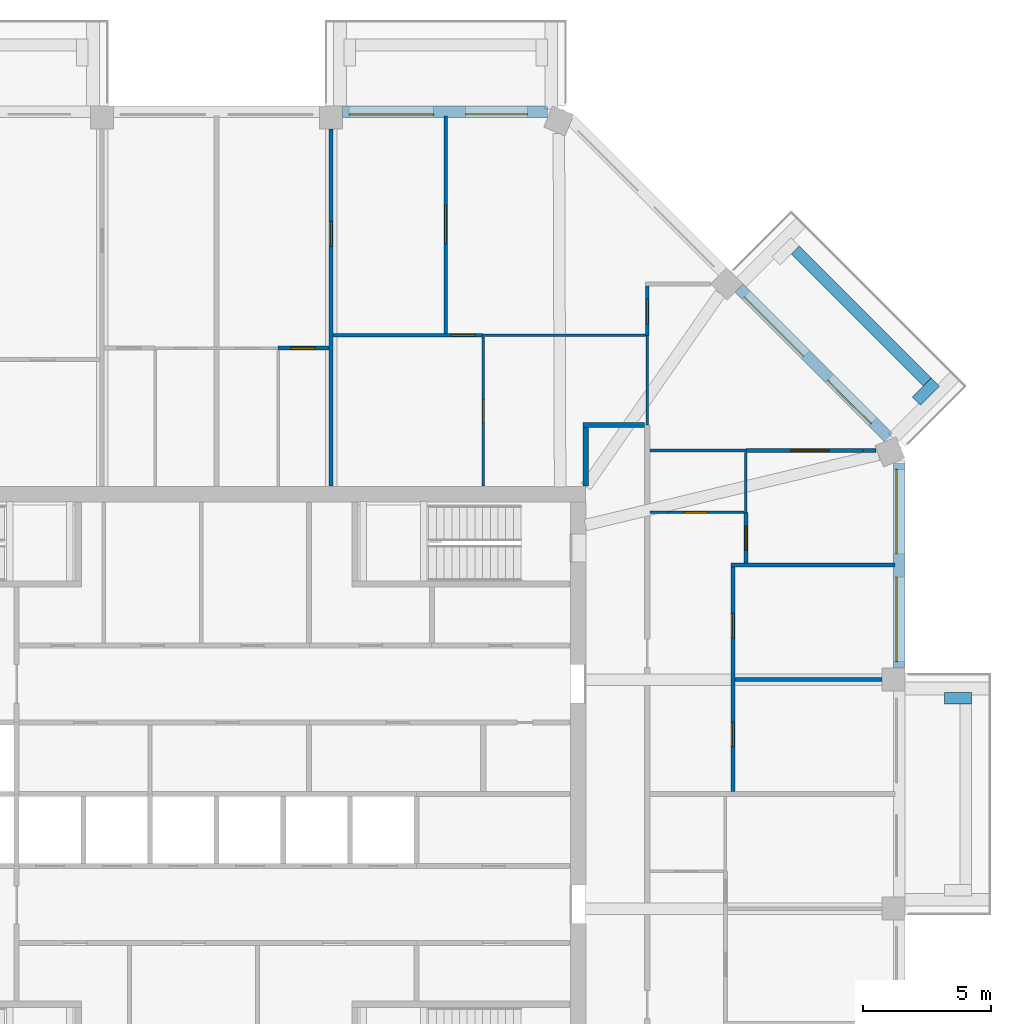
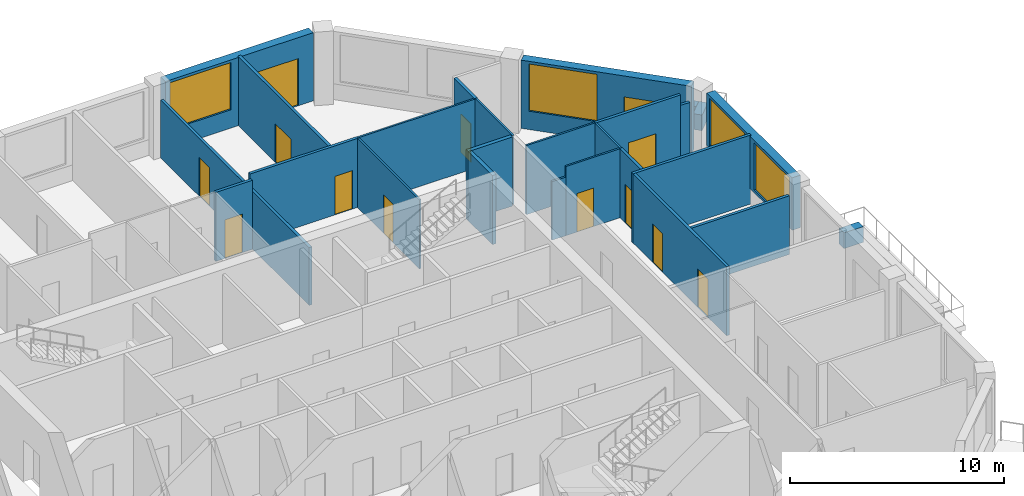
# One storey, part 9 of 12: 26 walls, 13 doors, 4 windows, 17 openings.
"""IFC4 building model written with IfcOpenShell, lengths in metres."""

from ifc_helpers import new_model, si_unit, direction, frame, frame_2d, origin, place, context, subcontext, project, spatial, rectangle, extrude, material, layer, layer_set, type_object, element, fill, save


model = new_model("IFC4")

# Units and contexts
model_context = context("Model", 3, precision=1e-05, world=origin(), true_north=direction((0.0, 1.0)))
body_context = subcontext(model_context, "Body", "Model", "MODEL_VIEW")
ifc_project = project(units=[si_unit("LENGTHUNIT", "METRE"), si_unit("AREAUNIT", "SQUARE_METRE"), si_unit("VOLUMEUNIT", "CUBIC_METRE"), si_unit("PLANEANGLEUNIT", "RADIAN"), si_unit("MASSUNIT", "GRAM", prefix="KILO")], contexts=[model_context])

# Site, building, storey
site_placement = place(None, origin())
site = spatial("IfcSite", under=ifc_project, at=site_placement, CompositionType="ELEMENT")
building_placement = place(site_placement, origin())
building = spatial("IfcBuilding", under=site, at=building_placement, Name="Msitu Wima Residences", CompositionType="ELEMENT")
storey_placement = place(building_placement, frame((0.0, 0.0, 247.5)))
storey = spatial("IfcBuildingStorey", under=building, at=storey_placement, Name="L57", CompositionType="ELEMENT", Elevation=247.5)

# Walls
ifc_material_1 = material(Name="Facing brick")
ifc_layer_1 = layer(ifc_material_1, 0.06494140625, Name="Facing brick")
ifc_material_2 = material(Name="Concrete C40/50", Category="concrete")
ifc_layer_2 = layer(ifc_material_2, 0.156005859375, Name="Concrete C40/50")
ifc_material_3 = material(Name="Waterproofing membrane")
ifc_layer_3 = layer(ifc_material_3, 0.00390625, Name="Waterproofing membrane")
ifc_material_4 = material(Name="Planting soil and planting")
ifc_layer_4 = layer(ifc_material_4, 0.22509765625, Name="Planting soil and planting")
ifc_layer_set_1 = layer_set([ifc_layer_1, ifc_layer_2, ifc_layer_3, ifc_layer_4], Name="Concrete C40/50")
wall_type_1 = type_object("IfcWallType", Name="Balcony planter PLANTER PL450", PredefinedType="USERDEFINED", material=ifc_layer_set_1)
wall_1_placement = place(storey_placement, frame((28.39990234375, 3.74365234375, 0.0), z_axis=(0.0, 0.0, 1.0), x_axis=(1.0, 0.0, 0.0)))
element("IfcWall", 1, at=wall_1_placement, inside=storey, type_object=wall_type_1, Name="Balcony planter E1 L57", ObjectType="PLANTER", PredefinedType="USERDEFINED", context=body_context, shape_type="SweptSolid", body=[
    extrude(rectangle(XDim=1.050048828125, YDim=0.449951171875, at=frame_2d((0.52490234375, 0.0))), origin(), (0.0, 0.0, 1.0), 0.89990234375),
])
wall_2_placement = place(storey_placement, frame((27.725830078125, 16.0751953125, 0.0), z_axis=(0.0, 0.0, 1.0), x_axis=(-0.707106781187, 0.707106781187, 0.0)))
element("IfcWall", 2, at=wall_2_placement, inside=storey, type_object=wall_type_1, Name="Balcony planter NE0 L57", ObjectType="PLANTER", PredefinedType="USERDEFINED", context=body_context, shape_type="SweptSolid", body=[
    extrude(rectangle(XDim=7.288330078125, YDim=0.449951171875, at=frame_2d((3.64404296875, 0.0))), origin(), (0.0, 0.0, 1.0), 0.89990234375),
])
wall_3_placement = place(storey_placement, frame((27.301513671875, 15.332763671875, 0.0), z_axis=(0.0, 0.0, 1.0), x_axis=(0.707106781187, 0.707106781187, 0.0)))
element("IfcWall", 3, at=wall_3_placement, inside=storey, type_object=wall_type_1, Name="Balcony planter NE0 L57", ObjectType="PLANTER", PredefinedType="USERDEFINED", context=body_context, shape_type="SweptSolid", body=[
    extrude(rectangle(XDim=1.050048828125, YDim=0.449951171875, at=frame_2d((0.52490234375, 0.0))), origin(), (0.0, 0.0, 1.0), 0.89990234375),
])

# Wall, openings, windows
ifc_material_5 = material(Name="Brick (red buff mix)", Category="masonry")
ifc_layer_5 = layer(ifc_material_5, 0.449951171875)
ifc_layer_set_2 = layer_set([ifc_layer_5], Name="Brick (red buff mix)")
wall_type_2 = type_object("IfcWallType", Name="Brick infill wall BW450", PredefinedType="SOLIDWALL", material=ifc_layer_set_2)
wall_4_placement = place(storey_placement, frame((26.625, 4.918701171875, 0.89990234375), z_axis=(0.0, 0.0, 1.0), x_axis=(0.0, 1.0, 0.0)))
wall_4 = element("IfcWall", 4, at=wall_4_placement, inside=storey, type_object=wall_type_2, Name="Brick infill wall L57 E2", PredefinedType="SOLIDWALL", context=body_context, shape_type="SweptSolid", body=[
    extrude(rectangle(XDim=8.0, YDim=0.449951171875, at=frame_2d((4.0, 0.0))), origin(), (0.0, 0.0, 1.0), 3.0),
])
opening_1_placement = place(wall_4_placement, frame((0.25, 0.0, 0.14990234375)))
opening_1 = element("IfcOpeningElement", 5, at=opening_1_placement, cuts=wall_4, Name="Opening W57-59.004", PredefinedType="OPENING", context=body_context, shape_type="SweptSolid", body=[
    extrude(rectangle(XDim=3.300048828125, YDim=2.699951171875, at=frame_2d((1.64990234375, 1.35009765625))), frame((0.0, 0.23486328125, 0.0), z_axis=(0.0, -1.0, 0.0), x_axis=(1.0, 0.0, 0.0)), (0.0, 0.0, 1.0), 0.469970703125),
])
opening_2_placement = place(wall_4_placement, frame((4.4501953125, 0.0, 0.14990234375)))
opening_2 = element("IfcOpeningElement", 6, at=opening_2_placement, cuts=wall_4, Name="Opening W57-59.005", PredefinedType="OPENING", context=body_context, shape_type="SweptSolid", body=[
    extrude(rectangle(XDim=3.300048828125, YDim=2.699951171875, at=frame_2d((1.64990234375, 1.35009765625))), frame((0.0, 0.23486328125, 0.0), z_axis=(0.0, -1.0, 0.0), x_axis=(1.0, 0.0, 0.0)), (0.0, 0.0, 1.0), 0.469970703125),
])
ifc_material_6 = material(Name="Anodised aluminium, bronze finish, clear low-emissivity double glazing", Category="aluminium")
window_type = type_object("IfcWindowType", Name="Window W3300x2700", PartitioningType="DOUBLE_PANEL_VERTICAL", PredefinedType="WINDOW", material=ifc_material_6)
window_1_placement = place(opening_1_placement, origin())
window_1 = element("IfcWindow", 7, at=window_1_placement, inside=storey, type_object=window_type, Name="Window L57 E2.1", OverallHeight=2.699951171875, OverallWidth=3.300048828125, PartitioningType="SINGLE_PANEL", PredefinedType="WINDOW", context=body_context, shape_type="SweptSolid", body=[
    extrude(rectangle(XDim=3.300048828125, YDim=2.699951171875, at=frame_2d((1.64990234375, 1.35009765625))), frame((0.0, 0.135009765625, 0.0), z_axis=(0.0, -1.0, 0.0), x_axis=(1.0, 0.0, 0.0)), (0.0, 0.0, 1.0), 0.06005859375),
])
fill(opening_1, window_1)
window_2_placement = place(opening_2_placement, origin())
window_2 = element("IfcWindow", 8, at=window_2_placement, inside=storey, type_object=window_type, Name="Window L57 E2.2", OverallHeight=2.699951171875, OverallWidth=3.300048828125, PartitioningType="SINGLE_PANEL", PredefinedType="WINDOW", context=body_context, shape_type="SweptSolid", body=[
    extrude(rectangle(XDim=3.300048828125, YDim=2.699951171875, at=frame_2d((1.64990234375, 1.35009765625))), frame((0.0, 0.135009765625, 0.0), z_axis=(0.0, -1.0, 0.0), x_axis=(1.0, 0.0, 0.0)), (0.0, 0.0, 1.0), 0.06005859375),
])
fill(opening_2, window_2)

# Wall, openings, door, window
wall_5_placement = place(storey_placement, frame((26.214599609375, 13.909423828125, 0.0), z_axis=(0.0, 0.0, 1.0), x_axis=(-0.707106781187, 0.707106781187, 0.0)))
wall_5 = element("IfcWall", 9, at=wall_5_placement, inside=storey, type_object=wall_type_2, Name="Brick infill wall L57 NE0", PredefinedType="SOLIDWALL", context=body_context, shape_type="SweptSolid", body=[
    extrude(rectangle(XDim=8.251220703125, YDim=0.449951171875, at=frame_2d((4.12548828125, 0.0))), origin(), (0.0, 0.0, 1.0), 3.89990234375),
])
opening_3_placement = place(wall_5_placement, frame((0.86279296875, 0.0, 0.0)))
opening_3 = element("IfcOpeningElement", 10, at=opening_3_placement, cuts=wall_5, Name="Opening D57-59.004", PredefinedType="OPENING", context=body_context, shape_type="SweptSolid", body=[
    extrude(rectangle(XDim=2.39990234375, YDim=2.699951171875, at=frame_2d((1.199951171875, 1.35009765625))), frame((0.0, 0.23486328125, 0.0), z_axis=(0.0, -1.0, 0.0), x_axis=(1.0, 0.0, 0.0)), (0.0, 0.0, 1.0), 0.469970703125),
])
opening_4_placement = place(wall_5_placement, frame((4.57568359375, 0.0, 1.050048828125)))
opening_4 = element("IfcOpeningElement", 11, at=opening_4_placement, cuts=wall_5, Name="Opening W57-59.010", PredefinedType="OPENING", context=body_context, shape_type="SweptSolid", body=[
    extrude(rectangle(XDim=3.300048828125, YDim=2.699951171875, at=frame_2d((1.64990234375, 1.35009765625))), frame((0.0, 0.23486328125, 0.0), z_axis=(0.0, -1.0, 0.0), x_axis=(1.0, 0.0, 0.0)), (0.0, 0.0, 1.0), 0.469970703125),
])
door_type_1 = type_object("IfcDoorType", Name="Balcony door D2400x2700", OperationType="SLIDING_TO_LEFT", PredefinedType="DOOR", material=ifc_material_6)
door_1_placement = place(opening_3_placement, origin())
door_1 = element("IfcDoor", 12, at=door_1_placement, inside=storey, type_object=door_type_1, Name="Balcony door L57 NE0", OperationType="SINGLE_SWING_LEFT", OverallHeight=2.699951171875, OverallWidth=2.39990234375, PredefinedType="DOOR", context=body_context, shape_type="SweptSolid", body=[
    extrude(rectangle(XDim=2.39990234375, YDim=2.699951171875, at=frame_2d((1.199951171875, 1.35009765625))), frame((0.0, 0.1298828125, 0.0), z_axis=(0.0, -1.0, 0.0), x_axis=(1.0, 0.0, 0.0)), (0.0, 0.0, 1.0), 0.050048828125),
])
fill(opening_3, door_1)
window_3_placement = place(opening_4_placement, origin())
window_3 = element("IfcWindow", 13, at=window_3_placement, inside=storey, type_object=window_type, Name="Window L57 NE0.2", OverallHeight=2.699951171875, OverallWidth=3.300048828125, PartitioningType="SINGLE_PANEL", PredefinedType="WINDOW", context=body_context, shape_type="SweptSolid", body=[
    extrude(rectangle(XDim=3.300048828125, YDim=2.699951171875, at=frame_2d((1.64990234375, 1.35009765625))), frame((0.0, 0.135009765625, 0.0), z_axis=(0.0, -1.0, 0.0), x_axis=(1.0, 0.0, 0.0)), (0.0, 0.0, 1.0), 0.06005859375),
])
fill(opening_4, window_3)

wall_6_placement = place(storey_placement, frame((12.918701171875, 26.625, 0.0), z_axis=(0.0, 0.0, 1.0), x_axis=(-1.0, 0.0, 0.0)))
wall_6 = element("IfcWall", 14, at=wall_6_placement, inside=storey, type_object=wall_type_2, Name="Brick infill wall L57 N0", PredefinedType="SOLIDWALL", context=body_context, shape_type="SweptSolid", body=[
    extrude(rectangle(XDim=8.0, YDim=0.449951171875, at=frame_2d((4.0, 0.0))), origin(), (0.0, 0.0, 1.0), 3.89990234375),
])
opening_5_placement = place(wall_6_placement, frame((0.800048828125, 0.0, 0.0)))
opening_5 = element("IfcOpeningElement", 15, at=opening_5_placement, cuts=wall_6, Name="Opening D57-59.002", PredefinedType="OPENING", context=body_context, shape_type="SweptSolid", body=[
    extrude(rectangle(XDim=2.39990234375, YDim=2.699951171875, at=frame_2d((1.199951171875, 1.35009765625))), frame((0.0, 0.23486328125, 0.0), z_axis=(0.0, -1.0, 0.0), x_axis=(1.0, 0.0, 0.0)), (0.0, 0.0, 1.0), 0.469970703125),
])
opening_6_placement = place(wall_6_placement, frame((4.4501953125, 0.0, 1.050048828125)))
opening_6 = element("IfcOpeningElement", 16, at=opening_6_placement, cuts=wall_6, Name="Opening W57-59.006", PredefinedType="OPENING", context=body_context, shape_type="SweptSolid", body=[
    extrude(rectangle(XDim=3.300048828125, YDim=2.699951171875, at=frame_2d((1.64990234375, 1.35009765625))), frame((0.0, 0.23486328125, 0.0), z_axis=(0.0, -1.0, 0.0), x_axis=(1.0, 0.0, 0.0)), (0.0, 0.0, 1.0), 0.469970703125),
])
door_2_placement = place(opening_5_placement, origin())
door_2 = element("IfcDoor", 17, at=door_2_placement, inside=storey, type_object=door_type_1, Name="Balcony door L57 N0", OperationType="SINGLE_SWING_LEFT", OverallHeight=2.699951171875, OverallWidth=2.39990234375, PredefinedType="DOOR", context=body_context, shape_type="SweptSolid", body=[
    extrude(rectangle(XDim=2.39990234375, YDim=2.699951171875, at=frame_2d((1.199951171875, 1.35009765625))), frame((0.0, 0.1298828125, 0.0), z_axis=(0.0, -1.0, 0.0), x_axis=(1.0, 0.0, 0.0)), (0.0, 0.0, 1.0), 0.050048828125),
])
fill(opening_5, door_2)
window_4_placement = place(opening_6_placement, origin())
window_4 = element("IfcWindow", 18, at=window_4_placement, inside=storey, type_object=window_type, Name="Window L57 N0.2", OverallHeight=2.699951171875, OverallWidth=3.300048828125, PartitioningType="SINGLE_PANEL", PredefinedType="WINDOW", context=body_context, shape_type="SweptSolid", body=[
    extrude(rectangle(XDim=3.300048828125, YDim=2.699951171875, at=frame_2d((1.64990234375, 1.35009765625))), frame((0.0, 0.135009765625, 0.0), z_axis=(0.0, -1.0, 0.0), x_axis=(1.0, 0.0, 0.0)), (0.0, 0.0, 1.0), 0.06005859375),
])
fill(opening_6, window_4)

# Walls
ifc_material_7 = material(Name="Plaster")
ifc_layer_6 = layer(ifc_material_7, 0.011962890625, Name="Plaster")
ifc_material_8 = material(Name="Concrete blockwork", Category="masonry")
ifc_layer_7 = layer(ifc_material_8, 0.176025390625, Name="Concrete blockwork")
ifc_layer_8 = layer(ifc_material_7, 0.011962890625, Name="Plaster")
ifc_layer_set_3 = layer_set([ifc_layer_6, ifc_layer_7, ifc_layer_8], Name="Concrete blockwork")
wall_type_3 = type_object("IfcWallType", Name="Corridor wall FW200", PredefinedType="PARTITIONING", material=ifc_layer_set_3)
wall_7_placement = place(storey_placement, frame((14.39990234375, 12.030029296875, 0.0), z_axis=(0.0, 0.0, 1.0), x_axis=(0.0, 1.0, 0.0)))
element("IfcWall", 19, at=wall_7_placement, inside=storey, type_object=wall_type_3, Name="Corridor wall", PredefinedType="PARTITIONING", context=body_context, shape_type="SweptSolid", body=[
    extrude(rectangle(XDim=2.27001953125, YDim=0.199951171875, at=frame_2d((1.135009765625, 0.0))), origin(), (0.0, 0.0, 1.0), 3.949951171875),
])
wall_8_placement = place(storey_placement, frame((14.300048828125, 14.39990234375, 0.0), z_axis=(0.0, 0.0, 1.0), x_axis=(1.0, 0.0, 0.0)))
element("IfcWall", 20, at=wall_8_placement, inside=storey, type_object=wall_type_3, Name="Corridor wall", PredefinedType="PARTITIONING", context=body_context, shape_type="SweptSolid", body=[
    extrude(rectangle(XDim=2.39990234375, YDim=0.199951171875, at=frame_2d((1.199951171875, 0.0))), origin(), (0.0, 0.0, 1.0), 3.949951171875),
])

# Wall, opening, door
ifc_layer_9 = layer(ifc_material_7, 0.011962890625, Name="Plaster")
ifc_layer_10 = layer(ifc_material_8, 0.1259765625, Name="Concrete blockwork")
ifc_layer_11 = layer(ifc_material_7, 0.011962890625, Name="Plaster")
ifc_layer_set_4 = layer_set([ifc_layer_9, ifc_layer_10, ifc_layer_11], Name="Concrete blockwork")
wall_type_4 = type_object("IfcWallType", Name="Partition PW150", PredefinedType="PARTITIONING", material=ifc_layer_set_4)
wall_9_placement = place(storey_placement, frame((2.39990234375, 17.39990234375, 0.0), z_axis=(0.0, 0.0, 1.0), x_axis=(1.0, 0.0, 0.0)))
wall_9 = element("IfcWall", 21, at=wall_9_placement, inside=storey, type_object=wall_type_4, Name="Partition", PredefinedType="PARTITIONING", context=body_context, shape_type="SweptSolid", body=[
    extrude(rectangle(XDim=1.99365234375, YDim=0.14990234375, at=frame_2d((0.996826171875, 0.0))), origin(), (0.0, 0.0, 1.0), 3.949951171875),
])
opening_7_placement = place(wall_9_placement, frame((0.5, 0.0, 0.0)))
opening_7 = element("IfcOpeningElement", 22, at=opening_7_placement, cuts=wall_9, Name="Opening D57-59.015", PredefinedType="OPENING", context=body_context, shape_type="SweptSolid", body=[
    extrude(rectangle(XDim=0.949951171875, YDim=2.199951171875, at=frame_2d((0.47509765625, 1.10009765625))), frame((0.0, 0.0849609375, 0.0), z_axis=(0.0, -1.0, 0.0), x_axis=(1.0, 0.0, 0.0)), (0.0, 0.0, 1.0), 0.169921875),
])
ifc_material_9 = material(Name="Timber flush door", Category="wood")
door_type_2 = type_object("IfcDoorType", Name="Room door D12 950x2200", OperationType="SINGLE_SWING_LEFT", PredefinedType="DOOR", material=ifc_material_9)
door_3_placement = place(opening_7_placement, origin())
door_3 = element("IfcDoor", 23, at=door_3_placement, inside=storey, type_object=door_type_2, Name="Room door", OperationType="SINGLE_SWING_RIGHT", OverallHeight=2.199951171875, OverallWidth=0.949951171875, PredefinedType="DOOR", context=body_context, shape_type="SweptSolid", body=[
    extrude(rectangle(XDim=0.949951171875, YDim=2.199951171875, at=frame_2d((0.47509765625, 1.10009765625))), frame((0.0, 0.02490234375, 0.0), z_axis=(0.0, -1.0, 0.0), x_axis=(1.0, 0.0, 0.0)), (0.0, 0.0, 1.0), 0.050048828125),
])
fill(opening_7, door_3)

wall_10_placement = place(storey_placement, frame((4.46875, 12.030029296875, 0.0), z_axis=(0.0, 0.0, 1.0), x_axis=(0.0, 1.0, 0.0)))
wall_10 = element("IfcWall", 24, at=wall_10_placement, inside=storey, type_object=wall_type_4, Name="Partition", PredefinedType="PARTITIONING", context=body_context, shape_type="SweptSolid", body=[
    extrude(rectangle(XDim=13.919921875, YDim=0.14990234375, at=frame_2d((6.9599609375, 0.0))), origin(), (0.0, 0.0, 1.0), 3.300048828125),
])
opening_8_placement = place(wall_10_placement, frame((9.35009765625, 0.0, 0.0)))
opening_8 = element("IfcOpeningElement", 25, at=opening_8_placement, cuts=wall_10, Name="Opening D57-59.013", PredefinedType="OPENING", context=body_context, shape_type="SweptSolid", body=[
    extrude(rectangle(XDim=0.949951171875, YDim=2.199951171875, at=frame_2d((0.47509765625, 1.10009765625))), frame((0.0, 0.0849609375, 0.0), z_axis=(0.0, -1.0, 0.0), x_axis=(1.0, 0.0, 0.0)), (0.0, 0.0, 1.0), 0.169921875),
])
door_4_placement = place(opening_8_placement, origin())
door_4 = element("IfcDoor", 26, at=door_4_placement, inside=storey, type_object=door_type_2, Name="Room door", OperationType="SINGLE_SWING_RIGHT", OverallHeight=2.199951171875, OverallWidth=0.949951171875, PredefinedType="DOOR", context=body_context, shape_type="SweptSolid", body=[
    extrude(rectangle(XDim=0.949951171875, YDim=2.199951171875, at=frame_2d((0.47509765625, 1.10009765625))), frame((0.0, 0.02490234375, 0.0), z_axis=(0.0, -1.0, 0.0), x_axis=(1.0, 0.0, 0.0)), (0.0, 0.0, 1.0), 0.050048828125),
])
fill(opening_8, door_4)

wall_11_placement = place(storey_placement, frame((4.543701171875, 17.89990234375, 0.0), z_axis=(0.0, 0.0, 1.0), x_axis=(1.0, 0.0, 0.0)))
wall_11 = element("IfcWall", 27, at=wall_11_placement, inside=storey, type_object=wall_type_4, Name="Partition", PredefinedType="PARTITIONING", context=body_context, shape_type="SweptSolid", body=[
    extrude(rectangle(XDim=5.836181640625, YDim=0.14990234375, at=frame_2d((2.91796875, 0.0))), origin(), (0.0, 0.0, 1.0), 3.949951171875),
])
opening_9_placement = place(wall_11_placement, frame((4.60009765625, 0.0, 0.0)))
opening_9 = element("IfcOpeningElement", 28, at=opening_9_placement, cuts=wall_11, Name="Opening D57-59.021", PredefinedType="OPENING", context=body_context, shape_type="SweptSolid", body=[
    extrude(rectangle(XDim=0.949951171875, YDim=2.199951171875, at=frame_2d((0.47509765625, 1.10009765625))), frame((0.0, 0.0849609375, 0.0), z_axis=(0.0, -1.0, 0.0), x_axis=(1.0, 0.0, 0.0)), (0.0, 0.0, 1.0), 0.169921875),
])
door_5_placement = place(opening_9_placement, origin())
door_5 = element("IfcDoor", 29, at=door_5_placement, inside=storey, type_object=door_type_2, Name="Room door", OperationType="SINGLE_SWING_LEFT", OverallHeight=2.199951171875, OverallWidth=0.949951171875, PredefinedType="DOOR", context=body_context, shape_type="SweptSolid", body=[
    extrude(rectangle(XDim=0.949951171875, YDim=2.199951171875, at=frame_2d((0.47509765625, 1.10009765625))), frame((0.0, 0.02490234375, 0.0), z_axis=(0.0, -1.0, 0.0), x_axis=(1.0, 0.0, 0.0)), (0.0, 0.0, 1.0), 0.050048828125),
])
fill(opening_9, door_5)

wall_12_placement = place(storey_placement, frame((8.937255859375, 17.97509765625, 0.0), z_axis=(0.0, 0.0, 1.0), x_axis=(0.0, 1.0, 0.0)))
wall_12 = element("IfcWall", 30, at=wall_12_placement, inside=storey, type_object=wall_type_4, Name="Partition", PredefinedType="PARTITIONING", context=body_context, shape_type="SweptSolid", body=[
    extrude(rectangle(XDim=8.47998046875, YDim=0.14990234375, at=frame_2d((4.239990234375, 0.0))), origin(), (0.0, 0.0, 1.0), 3.949951171875),
])
opening_10_placement = place(wall_12_placement, frame((3.5, 0.0, 0.0)))
opening_10 = element("IfcOpeningElement", 31, at=opening_10_placement, cuts=wall_12, Name="Opening D57-59.023", PredefinedType="OPENING", context=body_context, shape_type="SweptSolid", body=[
    extrude(rectangle(XDim=1.5, YDim=2.199951171875, at=frame_2d((0.75, 1.10009765625))), frame((0.0, 0.0849609375, 0.0), z_axis=(0.0, -1.0, 0.0), x_axis=(1.0, 0.0, 0.0)), (0.0, 0.0, 1.0), 0.169921875),
])
ifc_material_10 = material(Name="Timber double door", Category="wood")
door_type_3 = type_object("IfcDoorType", Name="Double door D04 1500x2200", OperationType="DOUBLE_DOOR_SINGLE_SWING", PredefinedType="DOOR", material=ifc_material_10)
door_6_placement = place(opening_10_placement, origin())
door_6 = element("IfcDoor", 32, at=door_6_placement, inside=storey, type_object=door_type_3, Name="Double door", OperationType="DOUBLE_DOOR_SINGLE_SWING", OverallHeight=2.199951171875, OverallWidth=1.5, PredefinedType="DOOR", context=body_context, shape_type="SweptSolid", body=[
    extrude(rectangle(XDim=1.5, YDim=2.199951171875, at=frame_2d((0.75, 1.10009765625))), frame((0.0, 0.02490234375, 0.0), z_axis=(0.0, -1.0, 0.0), x_axis=(1.0, 0.0, 0.0)), (0.0, 0.0, 1.0), 0.050048828125),
])
fill(opening_10, door_6)

wall_13_placement = place(storey_placement, frame((16.800048828125, 17.89990234375, 0.0), z_axis=(0.0, 0.0, 1.0), x_axis=(0.0, 1.0, 0.0)))
wall_13 = element("IfcWall", 33, at=wall_13_placement, inside=storey, type_object=wall_type_4, Name="Partition", PredefinedType="PARTITIONING", context=body_context, shape_type="SweptSolid", body=[
    extrude(rectangle(XDim=1.927978515625, YDim=0.14990234375, at=frame_2d((0.9638671875, 0.0))), origin(), (0.0, 0.0, 1.0), 3.949951171875),
])
opening_11_placement = place(wall_13_placement, frame((0.449951171875, 0.0, 0.0)))
opening_11 = element("IfcOpeningElement", 34, at=opening_11_placement, cuts=wall_13, Name="Opening D57-59.020", PredefinedType="OPENING", context=body_context, shape_type="SweptSolid", body=[
    extrude(rectangle(XDim=0.949951171875, YDim=2.199951171875, at=frame_2d((0.47509765625, 1.10009765625))), frame((0.0, 0.0849609375, 0.0), z_axis=(0.0, -1.0, 0.0), x_axis=(1.0, 0.0, 0.0)), (0.0, 0.0, 1.0), 0.169921875),
])
door_7_placement = place(opening_11_placement, origin())
door_7 = element("IfcDoor", 35, at=door_7_placement, inside=storey, type_object=door_type_2, Name="Room door", OperationType="SINGLE_SWING_LEFT", OverallHeight=2.199951171875, OverallWidth=0.949951171875, PredefinedType="DOOR", context=body_context, shape_type="SweptSolid", body=[
    extrude(rectangle(XDim=0.949951171875, YDim=2.199951171875, at=frame_2d((0.47509765625, 1.10009765625))), frame((0.0, 0.02490234375, 0.0), z_axis=(0.0, -1.0, 0.0), x_axis=(1.0, 0.0, 0.0)), (0.0, 0.0, 1.0), 0.050048828125),
])
fill(opening_11, door_7)

# Wall, openings, doors
wall_14_placement = place(storey_placement, frame((20.14990234375, 0.10009765625, 0.0), z_axis=(0.0, 0.0, 1.0), x_axis=(0.0, 1.0, 0.0)))
wall_14 = element("IfcWall", 36, at=wall_14_placement, inside=storey, type_object=wall_type_4, Name="Partition", PredefinedType="PARTITIONING", context=body_context, shape_type="SweptSolid", body=[
    extrude(rectangle(XDim=8.76220703125, YDim=0.14990234375, at=frame_2d((4.381103515625, 0.0))), origin(), (0.0, 0.0, 1.0), 3.949951171875),
])
opening_12_placement = place(wall_14_placement, frame((1.75, 0.0, 0.0)))
opening_12 = element("IfcOpeningElement", 37, at=opening_12_placement, cuts=wall_14, Name="Opening D57-59.016", PredefinedType="OPENING", context=body_context, shape_type="SweptSolid", body=[
    extrude(rectangle(XDim=0.949951171875, YDim=2.199951171875, at=frame_2d((0.47509765625, 1.10009765625))), frame((0.0, 0.0849609375, 0.0), z_axis=(0.0, -1.0, 0.0), x_axis=(1.0, 0.0, 0.0)), (0.0, 0.0, 1.0), 0.169921875),
])
opening_13_placement = place(wall_14_placement, frame((6.0, 0.0, 0.0)))
opening_13 = element("IfcOpeningElement", 38, at=opening_13_placement, cuts=wall_14, Name="Opening D57-59.017", PredefinedType="OPENING", context=body_context, shape_type="SweptSolid", body=[
    extrude(rectangle(XDim=0.949951171875, YDim=2.199951171875, at=frame_2d((0.47509765625, 1.10009765625))), frame((0.0, 0.0849609375, 0.0), z_axis=(0.0, -1.0, 0.0), x_axis=(1.0, 0.0, 0.0)), (0.0, 0.0, 1.0), 0.169921875),
])
door_8_placement = place(opening_12_placement, origin())
door_8 = element("IfcDoor", 39, at=door_8_placement, inside=storey, type_object=door_type_2, Name="Room door", OperationType="SINGLE_SWING_LEFT", OverallHeight=2.199951171875, OverallWidth=0.949951171875, PredefinedType="DOOR", context=body_context, shape_type="SweptSolid", body=[
    extrude(rectangle(XDim=0.949951171875, YDim=2.199951171875, at=frame_2d((0.47509765625, 1.10009765625))), frame((0.0, 0.02490234375, 0.0), z_axis=(0.0, -1.0, 0.0), x_axis=(1.0, 0.0, 0.0)), (0.0, 0.0, 1.0), 0.050048828125),
])
fill(opening_12, door_8)
door_9_placement = place(opening_13_placement, origin())
door_9 = element("IfcDoor", 40, at=door_9_placement, inside=storey, type_object=door_type_2, Name="Room door", OperationType="SINGLE_SWING_RIGHT", OverallHeight=2.199951171875, OverallWidth=0.949951171875, PredefinedType="DOOR", context=body_context, shape_type="SweptSolid", body=[
    extrude(rectangle(XDim=0.949951171875, YDim=2.199951171875, at=frame_2d((0.47509765625, 1.10009765625))), frame((0.0, 0.02490234375, 0.0), z_axis=(0.0, -1.0, 0.0), x_axis=(1.0, 0.0, 0.0)), (0.0, 0.0, 1.0), 0.050048828125),
])
fill(opening_13, door_9)

# Walls
wall_15_placement = place(storey_placement, frame((20.22509765625, 4.46875, 0.0), z_axis=(0.0, 0.0, 1.0), x_axis=(1.0, 0.0, 0.0)))
element("IfcWall", 41, at=wall_15_placement, inside=storey, type_object=wall_type_4, Name="Partition", PredefinedType="PARTITIONING", context=body_context, shape_type="SweptSolid", body=[
    extrude(rectangle(XDim=5.724853515625, YDim=0.14990234375, at=frame_2d((2.8623046875, 0.0))), origin(), (0.0, 0.0, 1.0), 3.35009765625),
])
wall_16_placement = place(storey_placement, frame((20.074951171875, 8.937255859375, 0.0), z_axis=(0.0, 0.0, 1.0), x_axis=(1.0, 0.0, 0.0)))
element("IfcWall", 42, at=wall_16_placement, inside=storey, type_object=wall_type_4, Name="Partition", PredefinedType="PARTITIONING", context=body_context, shape_type="SweptSolid", body=[
    extrude(rectangle(XDim=6.380126953125, YDim=0.14990234375, at=frame_2d((3.18994140625, 0.0))), origin(), (0.0, 0.0, 1.0), 3.949951171875),
])

# Wall, opening, door
wall_17_placement = place(storey_placement, frame((20.64990234375, 9.01220703125, 0.0), z_axis=(0.0, 0.0, 1.0), x_axis=(0.0, 1.0, 0.0)))
wall_17 = element("IfcWall", 43, at=wall_17_placement, inside=storey, type_object=wall_type_4, Name="Partition", PredefinedType="PARTITIONING", context=body_context, shape_type="SweptSolid", body=[
    extrude(rectangle(XDim=1.9677734375, YDim=0.14990234375, at=frame_2d((0.98388671875, 0.0))), origin(), (0.0, 0.0, 1.0), 3.949951171875),
])
opening_14_placement = place(wall_17_placement, frame((0.5, 0.0, 0.0)))
opening_14 = element("IfcOpeningElement", 44, at=opening_14_placement, cuts=wall_17, Name="Opening D57-59.018", PredefinedType="OPENING", context=body_context, shape_type="SweptSolid", body=[
    extrude(rectangle(XDim=0.949951171875, YDim=2.199951171875, at=frame_2d((0.47509765625, 1.10009765625))), frame((0.0, 0.0849609375, 0.0), z_axis=(0.0, -1.0, 0.0), x_axis=(1.0, 0.0, 0.0)), (0.0, 0.0, 1.0), 0.169921875),
])
door_10_placement = place(opening_14_placement, origin())
door_10 = element("IfcDoor", 45, at=door_10_placement, inside=storey, type_object=door_type_2, Name="Room door", OperationType="SINGLE_SWING_RIGHT", OverallHeight=2.199951171875, OverallWidth=0.949951171875, PredefinedType="DOOR", context=body_context, shape_type="SweptSolid", body=[
    extrude(rectangle(XDim=0.949951171875, YDim=2.199951171875, at=frame_2d((0.47509765625, 1.10009765625))), frame((0.0, 0.02490234375, 0.0), z_axis=(0.0, -1.0, 0.0), x_axis=(1.0, 0.0, 0.0)), (0.0, 0.0, 1.0), 0.050048828125),
])
fill(opening_14, door_10)

wall_18_placement = place(storey_placement, frame((20.64990234375, 13.406005859375, 0.0), z_axis=(0.0, 0.0, 1.0), x_axis=(1.0, 0.0, 0.0)))
wall_18 = element("IfcWall", 46, at=wall_18_placement, inside=storey, type_object=wall_type_4, Name="Partition", PredefinedType="PARTITIONING", context=body_context, shape_type="SweptSolid", body=[
    extrude(rectangle(XDim=4.57421875, YDim=0.14990234375, at=frame_2d((2.287109375, 0.0))), origin(), (0.0, 0.0, 1.0), 3.949951171875),
])
opening_15_placement = place(wall_18_placement, frame((1.75, 0.0, 0.0)))
opening_15 = element("IfcOpeningElement", 47, at=opening_15_placement, cuts=wall_18, Name="Opening D57-59.019", PredefinedType="OPENING", context=body_context, shape_type="SweptSolid", body=[
    extrude(rectangle(XDim=1.5, YDim=2.199951171875, at=frame_2d((0.75, 1.10009765625))), frame((0.0, 0.0849609375, 0.0), z_axis=(0.0, -1.0, 0.0), x_axis=(1.0, 0.0, 0.0)), (0.0, 0.0, 1.0), 0.169921875),
])
door_11_placement = place(opening_15_placement, origin())
door_11 = element("IfcDoor", 48, at=door_11_placement, inside=storey, type_object=door_type_3, Name="Double door", OperationType="DOUBLE_DOOR_SINGLE_SWING", OverallHeight=2.199951171875, OverallWidth=1.5, PredefinedType="DOOR", context=body_context, shape_type="SweptSolid", body=[
    extrude(rectangle(XDim=1.5, YDim=2.199951171875, at=frame_2d((0.75, 1.10009765625))), frame((0.0, 0.02490234375, 0.0), z_axis=(0.0, -1.0, 0.0), x_axis=(1.0, 0.0, 0.0)), (0.0, 0.0, 1.0), 0.050048828125),
])
fill(opening_15, door_11)

# Walls
wall_19_placement = place(storey_placement, frame((25.22412109375, 13.406005859375, 0.0), z_axis=(0.0, 0.0, 1.0), x_axis=(1.0, 0.0, 0.0)))
element("IfcWall", 49, at=wall_19_placement, inside=storey, type_object=wall_type_4, Name="Partition", PredefinedType="PARTITIONING", context=body_context, shape_type="SweptSolid", body=[
    extrude(rectangle(XDim=0.507080078125, YDim=0.14990234375, at=frame_2d((0.25341796875, 0.0))), origin(), (0.0, 0.0, 1.0), 3.35009765625),
])
ifc_material_11 = material(Name="Ceramic tiles")
ifc_layer_12 = layer(ifc_material_11, 0.008056640625, Name="Ceramic tiles")
ifc_material_12 = material(Name="Moisture-resistant board")
ifc_layer_13 = layer(ifc_material_12, 0.012451171875, Name="Moisture-resistant board")
ifc_material_13 = material(Name="Light-gauge stud framing with mineral wool")
ifc_layer_14 = layer(ifc_material_13, 0.06689453125, Name="Light-gauge stud framing with mineral wool")
ifc_layer_15 = layer(ifc_material_12, 0.012451171875, Name="Moisture-resistant board")
ifc_layer_set_5 = layer_set([ifc_layer_12, ifc_layer_13, ifc_layer_14, ifc_layer_15], Name="Light-gauge stud framing with mineral wool")
wall_type_5 = type_object("IfcWallType", Name="Wet wall PW100", PredefinedType="PARTITIONING", material=ifc_layer_set_5)
wall_20_placement = place(storey_placement, frame((10.3798828125, 17.89990234375, 0.0), z_axis=(0.0, 0.0, 1.0), x_axis=(1.0, 0.0, 0.0)))
element("IfcWall", 50, at=wall_20_placement, inside=storey, type_object=wall_type_5, Name="Wet wall", PredefinedType="PARTITIONING", context=body_context, shape_type="SweptSolid", body=[
    extrude(rectangle(XDim=6.34521484375, YDim=0.10009765625, at=frame_2d((3.172607421875, 0.0))), origin(), (0.0, 0.0, 1.0), 3.949951171875),
])

# Wall, opening, door
wall_21_placement = place(storey_placement, frame((10.39990234375, 12.030029296875, 0.0), z_axis=(0.0, 0.0, 1.0), x_axis=(0.0, 1.0, 0.0)))
wall_21 = element("IfcWall", 51, at=wall_21_placement, inside=storey, type_object=wall_type_5, Name="Wet wall", PredefinedType="PARTITIONING", context=body_context, shape_type="SweptSolid", body=[
    extrude(rectangle(XDim=5.794921875, YDim=0.10009765625, at=frame_2d((2.8974609375, 0.0))), origin(), (0.0, 0.0, 1.0), 3.949951171875),
])
opening_16_placement = place(wall_21_placement, frame((2.449951171875, 0.0, 0.0)))
opening_16 = element("IfcOpeningElement", 52, at=opening_16_placement, cuts=wall_21, Name="Opening D57-59.022", PredefinedType="OPENING", context=body_context, shape_type="SweptSolid", body=[
    extrude(rectangle(XDim=0.89990234375, YDim=2.199951171875, at=frame_2d((0.449951171875, 1.10009765625))), frame((0.0, 0.06005859375, 0.0), z_axis=(0.0, -1.0, 0.0), x_axis=(1.0, 0.0, 0.0)), (0.0, 0.0, 1.0), 0.1201171875),
])
door_type_4 = type_object("IfcDoorType", Name="Service door D05 900x2200", OperationType="SINGLE_SWING_LEFT", PredefinedType="DOOR", material=ifc_material_9)
door_12_placement = place(opening_16_placement, origin())
door_12 = element("IfcDoor", 53, at=door_12_placement, inside=storey, type_object=door_type_4, Name="Service door", OperationType="SINGLE_SWING_RIGHT", OverallHeight=2.199951171875, OverallWidth=0.89990234375, PredefinedType="DOOR", context=body_context, shape_type="SweptSolid", body=[
    extrude(rectangle(XDim=0.89990234375, YDim=2.199951171875, at=frame_2d((0.449951171875, 1.10009765625))), frame((0.0, 0.02490234375, 0.0), z_axis=(0.0, -1.0, 0.0), x_axis=(1.0, 0.0, 0.0)), (0.0, 0.0, 1.0), 0.050048828125),
])
fill(opening_16, door_12)

# Wall
wall_22_placement = place(storey_placement, frame((16.89990234375, 11.0, 0.0), z_axis=(0.0, 0.0, 1.0), x_axis=(1.0, 0.0, 0.0)))
element("IfcWall", 54, at=wall_22_placement, inside=storey, type_object=wall_type_5, Name="Wet wall", PredefinedType="PARTITIONING", context=body_context, shape_type="SweptSolid", body=[
    extrude(rectangle(XDim=0.75390625, YDim=0.10009765625, at=frame_2d((0.376953125, 0.0))), origin(), (0.0, 0.0, 1.0), 3.35009765625),
])

# Wall, opening, door
wall_23_placement = place(storey_placement, frame((17.65380859375, 11.0, 0.0), z_axis=(0.0, 0.0, 1.0), x_axis=(1.0, 0.0, 0.0)))
wall_23 = element("IfcWall", 55, at=wall_23_placement, inside=storey, type_object=wall_type_5, Name="Wet wall", PredefinedType="PARTITIONING", context=body_context, shape_type="SweptSolid", body=[
    extrude(rectangle(XDim=2.921142578125, YDim=0.10009765625, at=frame_2d((1.46044921875, 0.0))), origin(), (0.0, 0.0, 1.0), 3.949951171875),
])
opening_17_placement = place(wall_23_placement, frame((0.59619140625, 0.0, 0.0)))
opening_17 = element("IfcOpeningElement", 56, at=opening_17_placement, cuts=wall_23, Name="Opening D57-59.012", PredefinedType="OPENING", context=body_context, shape_type="SweptSolid", body=[
    extrude(rectangle(XDim=0.89990234375, YDim=2.199951171875, at=frame_2d((0.449951171875, 1.10009765625))), frame((0.0, 0.06005859375, 0.0), z_axis=(0.0, -1.0, 0.0), x_axis=(1.0, 0.0, 0.0)), (0.0, 0.0, 1.0), 0.1201171875),
])
ifc_material_14 = material(Name="Timber flush door, moisture resistant", Category="wood")
door_type_5 = type_object("IfcDoorType", Name="Bathroom door D03 900x2200", OperationType="SINGLE_SWING_LEFT", PredefinedType="DOOR", material=ifc_material_14)
door_13_placement = place(opening_17_placement, origin())
door_13 = element("IfcDoor", 57, at=door_13_placement, inside=storey, type_object=door_type_5, Name="Bathroom door", OperationType="SINGLE_SWING_LEFT", OverallHeight=2.199951171875, OverallWidth=0.89990234375, PredefinedType="DOOR", context=body_context, shape_type="SweptSolid", body=[
    extrude(rectangle(XDim=0.89990234375, YDim=2.199951171875, at=frame_2d((0.449951171875, 1.10009765625))), frame((0.0, 0.02490234375, 0.0), z_axis=(0.0, -1.0, 0.0), x_axis=(1.0, 0.0, 0.0)), (0.0, 0.0, 1.0), 0.050048828125),
])
fill(opening_17, door_13)

# Walls
wall_24_placement = place(storey_placement, frame((16.89990234375, 13.406005859375, 0.0), z_axis=(0.0, 0.0, 1.0), x_axis=(1.0, 0.0, 0.0)))
element("IfcWall", 58, at=wall_24_placement, inside=storey, type_object=wall_type_5, Name="Wet wall", PredefinedType="PARTITIONING", context=body_context, shape_type="SweptSolid", body=[
    extrude(rectangle(XDim=3.75, YDim=0.10009765625, at=frame_2d((1.875, 0.0))), origin(), (0.0, 0.0, 1.0), 3.949951171875),
])
wall_25_placement = place(storey_placement, frame((16.800048828125, 14.39990234375, 0.0), z_axis=(0.0, 0.0, 1.0), x_axis=(0.0, 1.0, 0.0)))
element("IfcWall", 59, at=wall_25_placement, inside=storey, type_object=wall_type_5, Name="Wet wall", PredefinedType="PARTITIONING", context=body_context, shape_type="SweptSolid", body=[
    extrude(rectangle(XDim=3.5, YDim=0.10009765625, at=frame_2d((1.75, 0.0))), origin(), (0.0, 0.0, 1.0), 3.949951171875),
])
wall_26_placement = place(storey_placement, frame((20.64990234375, 10.97998046875, 0.0), z_axis=(0.0, 0.0, 1.0), x_axis=(0.0, 1.0, 0.0)))
element("IfcWall", 60, at=wall_26_placement, inside=storey, type_object=wall_type_5, Name="Wet wall", PredefinedType="PARTITIONING", context=body_context, shape_type="SweptSolid", body=[
    extrude(rectangle(XDim=2.350830078125, YDim=0.10009765625, at=frame_2d((1.17529296875, 0.0))), origin(), (0.0, 0.0, 1.0), 3.949951171875),
])

save(model, "model.ifc")
